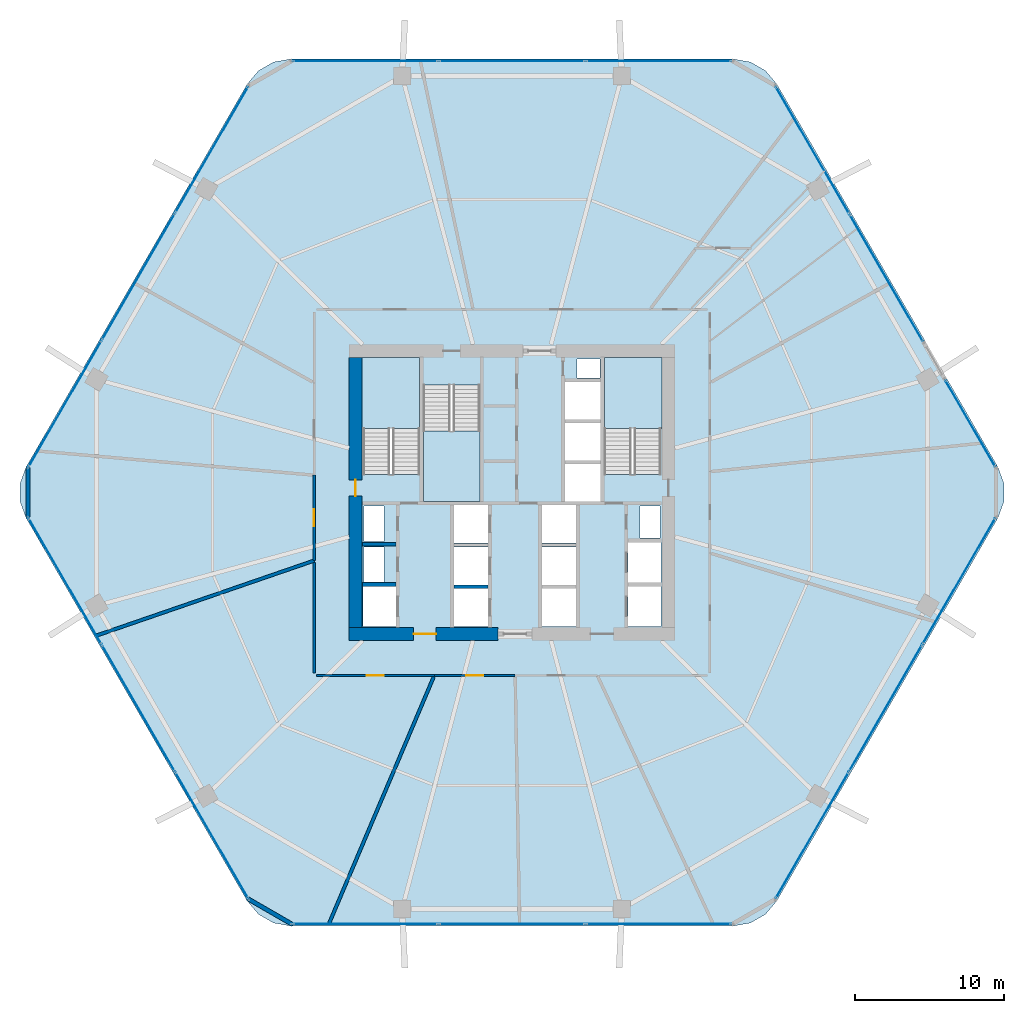
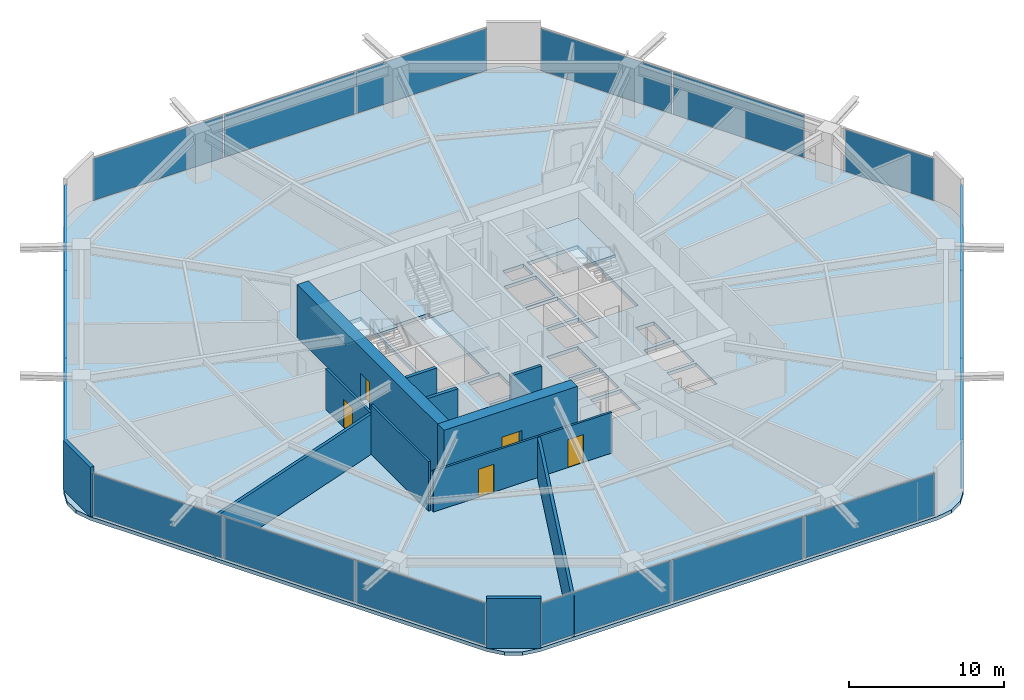
# One storey, part 21 of 25: 18 plates, 13 walls, 5 doors, 4 slabs, 5 openings, 10 elements without a shape of their own.
"""IFC4 building model written with IfcOpenShell, lengths in metres."""

from ifc_helpers import new_model, si_unit, direction, frame, frame_2d, origin, origin_2d, place, context, subcontext, project, spatial, polyline, rectangle, outline, extrude, material, layer, layer_set, type_object, element, fill, aggregate, save


model = new_model("IFC4")

# Units and contexts
model_context = context("Model", 3, precision=1e-05, world=origin(), true_north=direction((0.0, 1.0)))
body_context = subcontext(model_context, "Body", "Model", "MODEL_VIEW")
ifc_project = project(units=[si_unit("LENGTHUNIT", "METRE"), si_unit("AREAUNIT", "SQUARE_METRE"), si_unit("VOLUMEUNIT", "CUBIC_METRE"), si_unit("PLANEANGLEUNIT", "RADIAN"), si_unit("MASSUNIT", "GRAM", prefix="KILO")], contexts=[model_context])

# Site, building, storey
site_placement = place(None, origin())
site = spatial("IfcSite", under=ifc_project, at=site_placement, CompositionType="ELEMENT")
building_placement = place(site_placement, origin())
building = spatial("IfcBuilding", under=site, at=building_placement, Name="Zuhravey Tower", CompositionType="ELEMENT")
storey_placement = place(building_placement, frame((0.0, 0.0, 62.39990234375)))
storey = spatial("IfcBuildingStorey", under=building, at=storey_placement, Name="L15", CompositionType="ELEMENT", Elevation=62.39990234375)

# Curtain wall, plates
ifc_material_1 = material(Name="Thermally broken anodised aluminium", Category="aluminium")
curtain_wall_type = type_object("IfcCurtainWallType", Name="School Low-E Unitised Curtain Wall CW1", PredefinedType="NOTDEFINED", material=ifc_material_1)
curtain_wall_1_placement = place(storey_placement, origin())
curtain_wall_1 = element("IfcCurtainWall", 1, at=curtain_wall_1_placement, inside=storey, type_object=curtain_wall_type, Name="L15 CW1 CW-L15-F6-1", PredefinedType="NOTDEFINED")
ifc_material_2 = material(Name="Laminated acoustic low-E vision glass", Category="glass")
ifc_layer_1 = layer(ifc_material_2, 0.048095703125)
ifc_layer_set_1 = layer_set([ifc_layer_1], Name="Laminated acoustic low-E vision glass")
plate_type = type_object("IfcPlateType", Name="Acoustic School Vision Panel", PredefinedType="CURTAIN_PANEL", material=ifc_layer_set_1)
plate_1_placement = place(storey_placement, frame((66.000732421875, 26.045654296875, 0.090087890625), z_axis=(0.0, 0.0, 1.0), x_axis=(-0.499999794119, -0.86602552265, 0.0)))
plate_1 = element("IfcPlate", 2, at=plate_1_placement, type_object=plate_type, Name="CW1 panel 1.1", PredefinedType="CURTAIN_PANEL", context=body_context, shape_type="SweptSolid", body=[
    extrude(rectangle(XDim=9.7314453125, YDim=0.048095703125, at=origin_2d()), origin(), (0.0, 0.0, 1.0), 3.31201171875),
])
plate_2_placement = place(storey_placement, frame((61.078857421875, 17.520751953125, 0.090087890625), z_axis=(0.0, 0.0, 1.0), x_axis=(-0.499999794119, -0.86602552265, 0.0)))
plate_2 = element("IfcPlate", 3, at=plate_2_placement, type_object=plate_type, Name="CW1 panel 2.1", PredefinedType="CURTAIN_PANEL", context=body_context, shape_type="SweptSolid", body=[
    extrude(rectangle(XDim=9.7763671875, YDim=0.048095703125, at=origin_2d()), origin(), (0.0, 0.0, 1.0), 3.31201171875),
])
plate_3_placement = place(storey_placement, frame((56.15673828125, 8.995849609375, 0.090087890625), z_axis=(0.0, 0.0, 1.0), x_axis=(-0.499999794119, -0.86602552265, 0.0)))
plate_3 = element("IfcPlate", 4, at=plate_3_placement, type_object=plate_type, Name="CW1 panel 3.1", PredefinedType="CURTAIN_PANEL", context=body_context, shape_type="SweptSolid", body=[
    extrude(rectangle(XDim=9.7314453125, YDim=0.048095703125, at=origin_2d()), origin(), (0.0, 0.0, 1.0), 3.31201171875),
])
aggregate(curtain_wall_1, [plate_1, plate_2, plate_3])

curtain_wall_2_placement = place(storey_placement, origin())
curtain_wall_2 = element("IfcCurtainWall", 5, at=curtain_wall_2_placement, inside=storey, type_object=curtain_wall_type, Name="L15 CW1 CW-L15-F5-1", PredefinedType="NOTDEFINED")
plate_4_placement = place(storey_placement, frame((45.84375, 3.04150390625, 0.090087890625), z_axis=(0.0, 0.0, 1.0), x_axis=(-1.0, 0.0, 0.0)))
plate_4 = element("IfcPlate", 6, at=plate_4_placement, type_object=plate_type, Name="CW1 panel 1.1", PredefinedType="CURTAIN_PANEL", context=body_context, shape_type="SweptSolid", body=[
    extrude(rectangle(XDim=9.7314453125, YDim=0.048095703125, at=origin_2d()), origin(), (0.0, 0.0, 1.0), 3.31201171875),
])
plate_5_placement = place(storey_placement, frame((36.0, 3.04150390625, 0.090087890625), z_axis=(0.0, 0.0, 1.0), x_axis=(-1.0, 0.0, 0.0)))
plate_5 = element("IfcPlate", 7, at=plate_5_placement, type_object=plate_type, Name="CW1 panel 2.1", PredefinedType="CURTAIN_PANEL", context=body_context, shape_type="SweptSolid", body=[
    extrude(rectangle(XDim=9.7763671875, YDim=0.048095703125, at=origin_2d()), origin(), (0.0, 0.0, 1.0), 3.31201171875),
])
plate_6_placement = place(storey_placement, frame((26.15625, 3.04150390625, 0.090087890625), z_axis=(0.0, 0.0, 1.0), x_axis=(-1.0, 0.0, 0.0)))
plate_6 = element("IfcPlate", 8, at=plate_6_placement, type_object=plate_type, Name="CW1 panel 3.1", PredefinedType="CURTAIN_PANEL", context=body_context, shape_type="SweptSolid", body=[
    extrude(rectangle(XDim=9.7314453125, YDim=0.048095703125, at=origin_2d()), origin(), (0.0, 0.0, 1.0), 3.31201171875),
])
aggregate(curtain_wall_2, [plate_4, plate_5, plate_6])

curtain_wall_3_placement = place(storey_placement, origin())
curtain_wall_3 = element("IfcCurtainWall", 9, at=curtain_wall_3_placement, inside=storey, type_object=curtain_wall_type, Name="L15 CW1 CW-L15-F4-1", PredefinedType="NOTDEFINED")
plate_7_placement = place(storey_placement, frame((15.84326171875, 8.995849609375, 0.090087890625), z_axis=(0.0, 0.0, 1.0), x_axis=(-0.499999794119, 0.86602552265, 0.0)))
plate_7 = element("IfcPlate", 10, at=plate_7_placement, type_object=plate_type, Name="CW1 panel 1.1", PredefinedType="CURTAIN_PANEL", context=body_context, shape_type="SweptSolid", body=[
    extrude(rectangle(XDim=9.7314453125, YDim=0.048095703125, at=origin_2d()), origin(), (0.0, 0.0, 1.0), 3.31201171875),
])
plate_8_placement = place(storey_placement, frame((10.921142578125, 17.520751953125, 0.090087890625), z_axis=(0.0, 0.0, 1.0), x_axis=(-0.499999794119, 0.86602552265, 0.0)))
plate_8 = element("IfcPlate", 11, at=plate_8_placement, type_object=plate_type, Name="CW1 panel 2.1", PredefinedType="CURTAIN_PANEL", context=body_context, shape_type="SweptSolid", body=[
    extrude(rectangle(XDim=9.7763671875, YDim=0.048095703125, at=origin_2d()), origin(), (0.0, 0.0, 1.0), 3.31201171875),
])
plate_9_placement = place(storey_placement, frame((5.999267578125, 26.045654296875, 0.090087890625), z_axis=(0.0, 0.0, 1.0), x_axis=(-0.499999794119, 0.86602552265, 0.0)))
plate_9 = element("IfcPlate", 12, at=plate_9_placement, type_object=plate_type, Name="CW1 panel 3.1", PredefinedType="CURTAIN_PANEL", context=body_context, shape_type="SweptSolid", body=[
    extrude(rectangle(XDim=9.7314453125, YDim=0.048095703125, at=origin_2d()), origin(), (0.0, 0.0, 1.0), 3.31201171875),
])
aggregate(curtain_wall_3, [plate_7, plate_8, plate_9])

curtain_wall_4_placement = place(storey_placement, origin())
curtain_wall_4 = element("IfcCurtainWall", 13, at=curtain_wall_4_placement, inside=storey, type_object=curtain_wall_type, Name="L15 CW1 CW-L15-F3-1", PredefinedType="NOTDEFINED")
plate_10_placement = place(storey_placement, frame((5.999267578125, 37.954345703125, 0.090087890625), z_axis=(0.0, 0.0, 1.0), x_axis=(0.499999794119, 0.86602552265, 0.0)))
plate_10 = element("IfcPlate", 14, at=plate_10_placement, type_object=plate_type, Name="CW1 panel 1.1", PredefinedType="CURTAIN_PANEL", context=body_context, shape_type="SweptSolid", body=[
    extrude(rectangle(XDim=9.7314453125, YDim=0.048095703125, at=origin_2d()), origin(), (0.0, 0.0, 1.0), 3.31201171875),
])
plate_11_placement = place(storey_placement, frame((10.921142578125, 46.479248046875, 0.090087890625), z_axis=(0.0, 0.0, 1.0), x_axis=(0.499999794119, 0.86602552265, 0.0)))
plate_11 = element("IfcPlate", 15, at=plate_11_placement, type_object=plate_type, Name="CW1 panel 2.1", PredefinedType="CURTAIN_PANEL", context=body_context, shape_type="SweptSolid", body=[
    extrude(rectangle(XDim=9.7763671875, YDim=0.048095703125, at=origin_2d()), origin(), (0.0, 0.0, 1.0), 3.31201171875),
])
plate_12_placement = place(storey_placement, frame((15.84326171875, 55.004150390625, 0.090087890625), z_axis=(0.0, 0.0, 1.0), x_axis=(0.499999794119, 0.86602552265, 0.0)))
plate_12 = element("IfcPlate", 16, at=plate_12_placement, type_object=plate_type, Name="CW1 panel 3.1", PredefinedType="CURTAIN_PANEL", context=body_context, shape_type="SweptSolid", body=[
    extrude(rectangle(XDim=9.7314453125, YDim=0.048095703125, at=origin_2d()), origin(), (0.0, 0.0, 1.0), 3.31201171875),
])
aggregate(curtain_wall_4, [plate_10, plate_11, plate_12])

curtain_wall_5_placement = place(storey_placement, origin())
curtain_wall_5 = element("IfcCurtainWall", 17, at=curtain_wall_5_placement, inside=storey, type_object=curtain_wall_type, Name="L15 CW1 CW-L15-F2-1", PredefinedType="NOTDEFINED")
plate_13_placement = place(storey_placement, frame((26.15625, 60.95849609375, 0.090087890625), z_axis=(0.0, 0.0, 1.0), x_axis=(1.0, 0.0, 0.0)))
plate_13 = element("IfcPlate", 18, at=plate_13_placement, type_object=plate_type, Name="CW1 panel 1.1", PredefinedType="CURTAIN_PANEL", context=body_context, shape_type="SweptSolid", body=[
    extrude(rectangle(XDim=9.7314453125, YDim=0.048095703125, at=origin_2d()), origin(), (0.0, 0.0, 1.0), 3.31201171875),
])
plate_14_placement = place(storey_placement, frame((36.0, 60.95849609375, 0.090087890625), z_axis=(0.0, 0.0, 1.0), x_axis=(1.0, 0.0, 0.0)))
plate_14 = element("IfcPlate", 19, at=plate_14_placement, type_object=plate_type, Name="CW1 panel 2.1", PredefinedType="CURTAIN_PANEL", context=body_context, shape_type="SweptSolid", body=[
    extrude(rectangle(XDim=9.7763671875, YDim=0.048095703125, at=origin_2d()), origin(), (0.0, 0.0, 1.0), 3.31201171875),
])
plate_15_placement = place(storey_placement, frame((45.84375, 60.95849609375, 0.090087890625), z_axis=(0.0, 0.0, 1.0), x_axis=(1.0, 0.0, 0.0)))
plate_15 = element("IfcPlate", 20, at=plate_15_placement, type_object=plate_type, Name="CW1 panel 3.1", PredefinedType="CURTAIN_PANEL", context=body_context, shape_type="SweptSolid", body=[
    extrude(rectangle(XDim=9.7314453125, YDim=0.048095703125, at=origin_2d()), origin(), (0.0, 0.0, 1.0), 3.31201171875),
])
aggregate(curtain_wall_5, [plate_13, plate_14, plate_15])

curtain_wall_6_placement = place(storey_placement, origin())
curtain_wall_6 = element("IfcCurtainWall", 21, at=curtain_wall_6_placement, inside=storey, type_object=curtain_wall_type, Name="L15 CW1 CW-L15-F1-1", PredefinedType="NOTDEFINED")
plate_16_placement = place(storey_placement, frame((56.176025390625, 54.970947265625, 0.090087890625), z_axis=(0.0, 0.0, 1.0), x_axis=(0.499999006748, -0.866025977238, 0.0)))
plate_16 = element("IfcPlate", 22, at=plate_16_placement, type_object=plate_type, Name="CW1 panel 1.1", PredefinedType="CURTAIN_PANEL", context=body_context, shape_type="SweptSolid", body=[
    extrude(rectangle(XDim=9.80810546875, YDim=0.048095703125, at=origin_2d()), origin(), (0.0, 0.0, 1.0), 3.31201171875),
])
plate_17_placement = place(storey_placement, frame((61.125, 46.39892578125, 0.090087890625), z_axis=(0.0, 0.0, 1.0), x_axis=(0.499999006748, -0.866025977238, 0.0)))
plate_17 = element("IfcPlate", 23, at=plate_17_placement, type_object=plate_type, Name="CW1 panel 2.1", PredefinedType="CURTAIN_PANEL", context=body_context, shape_type="SweptSolid", body=[
    extrude(rectangle(XDim=9.80810546875, YDim=0.048095703125, at=origin_2d()), origin(), (0.0, 0.0, 1.0), 3.31201171875),
])
aggregate(curtain_wall_6, [plate_16, plate_17])

# Curtain wall, plate
curtain_wall_7_placement = place(storey_placement, origin())
curtain_wall_7 = element("IfcCurtainWall", 24, at=curtain_wall_7_placement, inside=storey, type_object=curtain_wall_type, Name="L15 CW1 CW-L15-F1-2", PredefinedType="NOTDEFINED")
plate_18_placement = place(storey_placement, frame((66.7626953125, 36.634033203125, 0.090087890625), z_axis=(0.0, 0.0, 1.0), x_axis=(0.50000373157, -0.866023249351, 0.0)))
plate_18 = element("IfcPlate", 25, at=plate_18_placement, type_object=plate_type, Name="CW1 panel 1.1", PredefinedType="CURTAIN_PANEL", context=body_context, shape_type="SweptSolid", body=[
    extrude(rectangle(XDim=6.682861328125, YDim=0.048095703125, at=origin_2d()), origin(), (0.0, 0.0, 1.0), 3.31201171875),
])
aggregate(curtain_wall_7, [plate_18])

# Slab
ifc_material_3 = material(Name="Concrete C50/60", Category="concrete")
ifc_layer_2 = layer(ifc_material_3, 0.280029296875)
ifc_layer_set_2 = layer_set([ifc_layer_2], Name="Concrete C50/60")
slab_type_1 = type_object("IfcSlabType", Name="School Composite Floor Slab 280", PredefinedType="FLOOR", material=ifc_layer_set_2)
slab_1_placement = place(storey_placement, frame((0.0, 0.0, -0.27978515625)))
element("IfcSlab", 26, at=slab_1_placement, inside=storey, type_object=slab_type_1, Name="L15 Floor Slab FS28", PredefinedType="FLOOR", context=body_context, shape_type="SweptSolid", body=[
    extrude(outline(polyline([(68.618408203125, 30.300048828125), (69.0224609375, 31.40966796875), (69.0224609375, 32.59033203125), (68.618408203125, 33.699951171875), (53.781494140625, 59.3984375), (53.0224609375, 60.302978515625), (52.0, 60.893310546875), (50.8369140625, 61.098388671875), (21.1630859375, 61.098388671875), (20.0, 60.893310546875), (18.9775390625, 60.302978515625), (18.218505859375, 59.3984375), (3.381591796875, 33.699951171875), (2.9775390625, 32.59033203125), (2.9775390625, 31.40966796875), (3.381591796875, 30.300048828125), (18.218505859375, 4.6015625), (18.9775390625, 3.697021484375), (20.0, 3.106689453125), (21.1630859375, 2.901611328125), (50.8369140625, 2.901611328125), (52.0, 3.106689453125), (53.0224609375, 3.697021484375), (53.781494140625, 4.6015625), (68.618408203125, 30.300048828125)]), holes=[polyline([(29.800048828125, 33.20068359375), (29.800048828125, 41.0), (26.0, 41.0), (26.0, 33.20068359375), (29.800048828125, 33.20068359375)]), polyline([(46.0, 33.20068359375), (46.0, 41.0), (42.199951171875, 41.0), (42.199951171875, 33.20068359375), (46.0, 33.20068359375)]), polyline([(30.050048828125, 39.199462890625), (30.050048828125, 31.39990234375), (33.85009765625, 31.39990234375), (33.85009765625, 39.199462890625), (30.050048828125, 39.199462890625)]), polyline([(32.10009765625, 23.0), (34.39990234375, 23.0), (34.39990234375, 25.550048828125), (32.10009765625, 25.550048828125), (32.10009765625, 23.0)]), polyline([(32.10009765625, 25.800048828125), (34.39990234375, 25.800048828125), (34.39990234375, 28.35009765625), (32.10009765625, 28.35009765625), (32.10009765625, 25.800048828125)]), polyline([(32.10009765625, 28.60009765625), (34.39990234375, 28.60009765625), (34.39990234375, 31.14990234375), (32.10009765625, 31.14990234375), (32.10009765625, 28.60009765625)]), polyline([(38.0, 23.0), (40.300048828125, 23.0), (40.300048828125, 25.550048828125), (38.0, 25.550048828125), (38.0, 23.0)]), polyline([(38.0, 25.800048828125), (40.300048828125, 25.800048828125), (40.300048828125, 28.35009765625), (38.0, 28.35009765625), (38.0, 25.800048828125)]), polyline([(38.0, 28.60009765625), (40.300048828125, 28.60009765625), (40.300048828125, 31.14990234375), (38.0, 31.14990234375), (38.0, 28.60009765625)]), polyline([(39.550048828125, 31.39990234375), (41.949951171875, 31.39990234375), (41.949951171875, 33.89990234375), (39.550048828125, 33.89990234375), (39.550048828125, 31.39990234375)]), polyline([(39.550048828125, 34.14990234375), (41.949951171875, 34.14990234375), (41.949951171875, 36.64990234375), (39.550048828125, 36.64990234375), (39.550048828125, 34.14990234375)]), polyline([(39.550048828125, 36.89990234375), (41.949951171875, 36.89990234375), (41.949951171875, 39.39990234375), (39.550048828125, 39.39990234375), (39.550048828125, 36.89990234375)]), polyline([(26.0, 23.0), (28.199951171875, 23.0), (28.199951171875, 25.699951171875), (26.0, 25.699951171875), (26.0, 23.0)]), polyline([(43.800048828125, 23.0), (46.0, 23.0), (46.0, 25.699951171875), (43.800048828125, 25.699951171875), (43.800048828125, 23.0)]), polyline([(43.800048828125, 25.949951171875), (46.0, 25.949951171875), (46.0, 28.64990234375), (43.800048828125, 28.64990234375), (43.800048828125, 25.949951171875)]), polyline([(26.050048828125, 26.0), (27.39990234375, 26.0), (27.39990234375, 28.35009765625), (26.050048828125, 28.35009765625), (26.050048828125, 26.0)]), polyline([(26.050048828125, 28.699951171875), (27.39990234375, 28.699951171875), (27.39990234375, 31.10009765625), (26.050048828125, 31.10009765625), (26.050048828125, 28.699951171875)]), polyline([(44.60009765625, 28.949951171875), (45.949951171875, 28.949951171875), (45.949951171875, 31.10009765625), (44.60009765625, 31.10009765625), (44.60009765625, 28.949951171875)]), polyline([(40.35009765625, 39.699951171875), (41.89990234375, 39.699951171875), (41.89990234375, 40.949951171875), (40.35009765625, 40.949951171875), (40.35009765625, 39.699951171875)])]), origin(), (0.0, 0.0, 1.0), 0.27978515625),
])

# Stair, slab
ifc_material_4 = material(Name="Concrete C40/50", Category="concrete")
stair_type = type_object("IfcStairType", Name="School Storey Stair Assembly 4200", PredefinedType="HALF_TURN_STAIR", material=ifc_material_4)
stair_1_placement = place(storey_placement, origin())
stair_1 = element("IfcStair", 27, at=stair_1_placement, inside=storey, type_object=stair_type, Name="L15 Core Exit Stair ST1", PredefinedType="HALF_TURN_STAIR")
ifc_layer_3 = layer(ifc_material_4, 0.199951171875)
ifc_layer_set_3 = layer_set([ifc_layer_3], Name="Concrete C40/50")
slab_type_2 = type_object("IfcSlabType", Name="Stair Landing Slab 200", PredefinedType="LANDING", material=ifc_layer_set_3)
slab_2_placement = place(storey_placement, frame((0.0, 0.0, 1.900146484375)))
slab_2 = element("IfcSlab", 28, at=slab_2_placement, type_object=slab_type_2, Name="ST1 landing 1", PredefinedType="LANDING", context=body_context, shape_type="SweptSolid", body=[
    extrude(outline(polyline([(29.800048828125, 36.280029296875), (29.800048828125, 41.072998046875), (25.927001953125, 41.072998046875), (25.927001953125, 36.280029296875), (29.800048828125, 36.280029296875)])), origin(), (0.0, 0.0, 1.0), 0.199951171875),
])
aggregate(stair_1, [slab_2])

stair_2_placement = place(storey_placement, origin())
stair_2 = element("IfcStair", 29, at=stair_2_placement, inside=storey, type_object=stair_type, Name="L15 Core Exit Stair ST2", PredefinedType="HALF_TURN_STAIR")
slab_3_placement = place(storey_placement, frame((0.0, 0.0, 1.900146484375)))
slab_3 = element("IfcSlab", 30, at=slab_3_placement, type_object=slab_type_2, Name="ST2 landing 1", PredefinedType="LANDING", context=body_context, shape_type="SweptSolid", body=[
    extrude(outline(polyline([(46.072998046875, 36.280029296875), (46.072998046875, 41.072998046875), (42.199951171875, 41.072998046875), (42.199951171875, 36.280029296875), (46.072998046875, 36.280029296875)])), origin(), (0.0, 0.0, 1.0), 0.199951171875),
])
aggregate(stair_2, [slab_3])

stair_3_placement = place(storey_placement, origin())
stair_3 = element("IfcStair", 31, at=stair_3_placement, inside=storey, type_object=stair_type, Name="L15 Core Exit Stair ST3", PredefinedType="HALF_TURN_STAIR")
slab_4_placement = place(storey_placement, frame((0.0, 0.0, 1.900146484375)))
slab_4 = element("IfcSlab", 32, at=slab_4_placement, type_object=slab_type_2, Name="ST3 landing 1", PredefinedType="LANDING", context=body_context, shape_type="SweptSolid", body=[
    extrude(outline(polyline([(30.050048828125, 36.1201171875), (30.050048828125, 31.39990234375), (33.85009765625, 31.39990234375), (33.85009765625, 36.1201171875), (30.050048828125, 36.1201171875)])), origin(), (0.0, 0.0, 1.0), 0.199951171875),
])
aggregate(stair_3, [slab_4])

# Wall, opening, door
ifc_material_5 = material(Name="Concrete C60/75", Category="concrete")
ifc_layer_4 = layer(ifc_material_5, 0.85009765625)
ifc_layer_set_4 = layer_set([ifc_layer_4], Name="Concrete C60/75")
wall_type_1 = type_object("IfcWallType", Name="Core Shear Wall 850", PredefinedType="SHEAR", material=ifc_layer_set_4)
wall_1_placement = place(storey_placement, frame((25.074951171875, 22.5, 0.0), z_axis=(0.0, 0.0, 1.0), x_axis=(1.0, 0.0, 0.0)))
wall_1 = element("IfcWall", 33, at=wall_1_placement, inside=storey, type_object=wall_type_1, Name="L15 South-West Core Shear Wall CW85", PredefinedType="SHEAR", context=body_context, shape_type="SweptSolid", body=[
    extrude(rectangle(XDim=9.97509765625, YDim=0.85009765625, at=frame_2d((4.987548828125, 0.0))), origin(), (0.0, 0.0, 1.0), 4.2001953125),
])
opening_1_placement = place(wall_1_placement, frame((4.324951171875, 0.0, 0.0)))
opening_1 = element("IfcOpeningElement", 34, at=opening_1_placement, cuts=wall_1, Name="Opening FFD1", PredefinedType="OPENING", context=body_context, shape_type="SweptSolid", body=[
    extrude(rectangle(XDim=1.5, YDim=2.14990234375, at=frame_2d((0.75, 1.074951171875))), frame((0.0, 0.43701171875, 0.0), z_axis=(0.0, -1.0, 0.0), x_axis=(1.0, 0.0, 0.0)), (0.0, 0.0, 1.0), 0.8740234375),
])
ifc_material_6 = material(Name="Galvanised fire-rated steel leaf", Category="steel")
door_type_1 = type_object("IfcDoorType", Name="Firefighting Lobby Double Door 1500x2150", OperationType="DOUBLE_DOOR_SINGLE_SWING", PredefinedType="DOOR", material=ifc_material_6)
door_1_placement = place(opening_1_placement, origin())
door_1 = element("IfcDoor", 35, at=door_1_placement, inside=storey, type_object=door_type_1, Name="L15 Firefighting Lobby West Door", OperationType="DOUBLE_DOOR_SINGLE_SWING", OverallHeight=2.14990234375, OverallWidth=1.5, PredefinedType="DOOR", context=body_context, shape_type="SweptSolid", body=[
    extrude(rectangle(XDim=1.5, YDim=2.14990234375, at=frame_2d((0.75, 1.074951171875))), frame((0.0, 0.02490234375, 0.0), z_axis=(0.0, -1.0, 0.0), x_axis=(1.0, 0.0, 0.0)), (0.0, 0.0, 1.0), 0.050048828125),
])
fill(opening_1, door_1)

wall_2_placement = place(storey_placement, frame((25.5, 22.925048828125, 0.0), z_axis=(0.0, 0.0, 1.0), x_axis=(0.0, 1.0, 0.0)))
wall_2 = element("IfcWall", 36, at=wall_2_placement, inside=storey, type_object=wall_type_1, Name="L15 West Core Shear Wall CW85", PredefinedType="SHEAR", context=body_context, shape_type="SweptSolid", body=[
    extrude(rectangle(XDim=18.14990234375, YDim=0.85009765625, at=frame_2d((9.074951171875, 0.0))), origin(), (0.0, 0.0, 1.0), 4.2001953125),
])
opening_2_placement = place(wall_2_placement, frame((8.824951171875, 0.0, 0.0)))
opening_2 = element("IfcOpeningElement", 37, at=opening_2_placement, cuts=wall_2, Name="Opening STD1", PredefinedType="OPENING", context=body_context, shape_type="SweptSolid", body=[
    extrude(rectangle(XDim=1.10009765625, YDim=2.14990234375, at=frame_2d((0.550048828125, 1.074951171875))), frame((0.0, 0.43701171875, 0.0), z_axis=(0.0, -1.0, 0.0), x_axis=(1.0, 0.0, 0.0)), (0.0, 0.0, 1.0), 0.8740234375),
])
door_type_2 = type_object("IfcDoorType", Name="Protected Stair Fire Door 1100x2150", OperationType="NOTDEFINED", PredefinedType="USERDEFINED", material=ifc_material_6)
door_2_placement = place(opening_2_placement, frame((1.10009765625, 0.0, 0.0), z_axis=(0.0, 0.0, 1.0), x_axis=(-1.0, 0.0, 0.0)))
door_2 = element("IfcDoor", 38, at=door_2_placement, inside=storey, type_object=door_type_2, Name="L15 Stair ST1 Door", ObjectType="EXITDOOR", OperationType="SINGLE_SWING_LEFT", OverallHeight=2.14990234375, OverallWidth=1.10009765625, PredefinedType="USERDEFINED", context=body_context, shape_type="SweptSolid", body=[
    extrude(rectangle(XDim=1.10009765625, YDim=2.14990234375, at=frame_2d((0.550048828125, 1.074951171875))), frame((0.0, 0.02490234375, 0.0), z_axis=(0.0, -1.0, 0.0), x_axis=(1.0, 0.0, 0.0)), (0.0, 0.0, 1.0), 0.050048828125),
])
fill(opening_2, door_2)

ifc_material_7 = material(Name="Gypsum fire-rated stud partition")
ifc_layer_5 = layer(ifc_material_7, 0.159912109375)
ifc_layer_set_5 = layer_set([ifc_layer_5], Name="Gypsum fire-rated stud partition")
wall_type_2 = type_object("IfcWallType", Name="Corridor Fire Partition 160", PredefinedType="PARTITIONING", material=ifc_layer_set_5)
wall_3_placement = place(storey_placement, frame((22.715087890625, 33.162353515625, 0.0), z_axis=(0.0, 0.0, 1.0), x_axis=(0.0, -1.0, 0.0)))
wall_3 = element("IfcWall", 39, at=wall_3_placement, inside=storey, type_object=wall_type_2, Name="L15 IW16 Partition 026", PredefinedType="PARTITIONING", context=body_context, shape_type="SweptSolid", body=[
    extrude(rectangle(XDim=5.73681640625, YDim=0.159912109375, at=frame_2d((2.868408203125, 0.0))), origin(), (0.0, 0.0, 1.0), 3.22021484375),
])
opening_3_placement = place(wall_3_placement, frame((2.29345703125, 0.0, 0.0)))
opening_3 = element("IfcOpeningElement", 40, at=opening_3_placement, cuts=wall_3, Name="Opening CLD1", PredefinedType="OPENING", context=body_context, shape_type="SweptSolid", body=[
    extrude(rectangle(XDim=1.14990234375, YDim=2.199951171875, at=frame_2d((0.574951171875, 1.10009765625))), frame((0.0, 0.092041015625, 0.0), z_axis=(0.0, -1.0, 0.0), x_axis=(1.0, 0.0, 0.0)), (0.0, 0.0, 1.0), 0.183837890625),
])
ifc_material_8 = material(Name="Acoustic timber leaf with vision lite", Category="wood")
door_type_3 = type_object("IfcDoorType", Name="Classroom Acoustic Door 1150x2200", OperationType="NOTDEFINED", PredefinedType="DOOR", material=ifc_material_8)
door_3_placement = place(opening_3_placement, frame((1.14990234375, 0.0, 0.0), z_axis=(0.0, 0.0, 1.0), x_axis=(-1.0, 0.0, 0.0)))
door_3 = element("IfcDoor", 41, at=door_3_placement, inside=storey, type_object=door_type_3, Name="L15 Door 026.1", OperationType="SINGLE_SWING_LEFT", OverallHeight=2.199951171875, OverallWidth=1.14990234375, PredefinedType="DOOR", context=body_context, shape_type="SweptSolid", body=[
    extrude(rectangle(XDim=1.14990234375, YDim=2.199951171875, at=frame_2d((0.574951171875, 1.10009765625))), frame((0.0, 0.02490234375, 0.0), z_axis=(0.0, -1.0, 0.0), x_axis=(1.0, 0.0, 0.0)), (0.0, 0.0, 1.0), 0.050048828125),
])
fill(opening_3, door_3)

wall_4_placement = place(storey_placement, frame((22.875, 19.715087890625, 0.0), z_axis=(0.0, 0.0, 1.0), x_axis=(1.0, 0.0, 0.0)))
wall_4 = element("IfcWall", 42, at=wall_4_placement, inside=storey, type_object=wall_type_2, Name="L15 IW16 Partition 027", PredefinedType="PARTITIONING", context=body_context, shape_type="SweptSolid", body=[
    extrude(rectangle(XDim=7.910400390625, YDim=0.159912109375, at=frame_2d((3.955078125, 0.0))), origin(), (0.0, 0.0, 1.0), 3.22021484375),
])
opening_4_placement = place(wall_4_placement, frame((3.380126953125, 0.0, 0.0)))
opening_4 = element("IfcOpeningElement", 43, at=opening_4_placement, cuts=wall_4, Name="Opening CLD1", PredefinedType="OPENING", context=body_context, shape_type="SweptSolid", body=[
    extrude(rectangle(XDim=1.14990234375, YDim=2.199951171875, at=frame_2d((0.574951171875, 1.10009765625))), frame((0.0, 0.092041015625, 0.0), z_axis=(0.0, -1.0, 0.0), x_axis=(1.0, 0.0, 0.0)), (0.0, 0.0, 1.0), 0.183837890625),
])
door_4_placement = place(opening_4_placement, frame((1.14990234375, 0.0, 0.0), z_axis=(0.0, 0.0, 1.0), x_axis=(-1.0, 0.0, 0.0)))
door_4 = element("IfcDoor", 44, at=door_4_placement, inside=storey, type_object=door_type_3, Name="L15 Door 027.1", OperationType="SINGLE_SWING_RIGHT", OverallHeight=2.199951171875, OverallWidth=1.14990234375, PredefinedType="DOOR", context=body_context, shape_type="SweptSolid", body=[
    extrude(rectangle(XDim=1.14990234375, YDim=2.199951171875, at=frame_2d((0.574951171875, 1.10009765625))), frame((0.0, 0.02490234375, 0.0), z_axis=(0.0, -1.0, 0.0), x_axis=(1.0, 0.0, 0.0)), (0.0, 0.0, 1.0), 0.050048828125),
])
fill(opening_4, door_4)

wall_5_placement = place(storey_placement, frame((30.785400390625, 19.715087890625, 0.0), z_axis=(0.0, 0.0, 1.0), x_axis=(1.0, 0.0, 0.0)))
wall_5 = element("IfcWall", 45, at=wall_5_placement, inside=storey, type_object=wall_type_2, Name="L15 IW16 Partition 028", PredefinedType="PARTITIONING", context=body_context, shape_type="SweptSolid", body=[
    extrude(rectangle(XDim=5.428955078125, YDim=0.159912109375, at=frame_2d((2.71435546875, 0.0))), origin(), (0.0, 0.0, 1.0), 3.22021484375),
])
opening_5_placement = place(wall_5_placement, frame((2.139404296875, 0.0, 0.0)))
opening_5 = element("IfcOpeningElement", 46, at=opening_5_placement, cuts=wall_5, Name="Opening CLD1", PredefinedType="OPENING", context=body_context, shape_type="SweptSolid", body=[
    extrude(rectangle(XDim=1.14990234375, YDim=2.199951171875, at=frame_2d((0.574951171875, 1.10009765625))), frame((0.0, 0.092041015625, 0.0), z_axis=(0.0, -1.0, 0.0), x_axis=(1.0, 0.0, 0.0)), (0.0, 0.0, 1.0), 0.183837890625),
])
door_5_placement = place(opening_5_placement, frame((1.14990234375, 0.0, 0.0), z_axis=(0.0, 0.0, 1.0), x_axis=(-1.0, 0.0, 0.0)))
door_5 = element("IfcDoor", 47, at=door_5_placement, inside=storey, type_object=door_type_3, Name="L15 Door 028.1", OperationType="SINGLE_SWING_LEFT", OverallHeight=2.199951171875, OverallWidth=1.14990234375, PredefinedType="DOOR", context=body_context, shape_type="SweptSolid", body=[
    extrude(rectangle(XDim=1.14990234375, YDim=2.199951171875, at=frame_2d((0.574951171875, 1.10009765625))), frame((0.0, 0.02490234375, 0.0), z_axis=(0.0, -1.0, 0.0), x_axis=(1.0, 0.0, 0.0)), (0.0, 0.0, 1.0), 0.050048828125),
])
fill(opening_5, door_5)

# Walls
wall_6_placement = place(storey_placement, frame((22.715087890625, 27.30078125, 0.0), z_axis=(0.0, 0.0, 1.0), x_axis=(0.0, -1.0, 0.0)))
element("IfcWall", 48, at=wall_6_placement, inside=storey, type_object=wall_type_2, Name="L15 IW16 Partition 055", PredefinedType="PARTITIONING", context=body_context, shape_type="SweptSolid", body=[
    extrude(rectangle(XDim=7.42578125, YDim=0.159912109375, at=frame_2d((3.712890625, 0.0))), origin(), (0.0, 0.0, 1.0), 3.920166015625),
])
ifc_material_9 = material(Name="Precast concrete C40/50", Category="concrete")
ifc_layer_6 = layer(ifc_material_9, 0.280029296875)
ifc_layer_set_6 = layer_set([ifc_layer_6], Name="Precast concrete C40/50")
wall_type_3 = type_object("IfcWallType", Name="Crown Architectural Wall 280", PredefinedType="SOLIDWALL", material=ifc_layer_set_6)
wall_7_placement = place(storey_placement, frame((21.28271484375, 2.993896484375, 0.0), z_axis=(0.0, 0.0, 1.0), x_axis=(-0.866007452331, 0.500031091541, 0.0)))
element("IfcWall", 49, at=wall_7_placement, inside=storey, type_object=wall_type_3, Name="L15 Rounded Corner Closure Wall EW28-04", PredefinedType="SOLIDWALL", context=body_context, shape_type="SweptSolid", body=[
    extrude(rectangle(XDim=3.514892578125, YDim=0.280029296875, at=frame_2d((1.75732421875, 0.0))), origin(), (0.0, 0.0, 1.0), 3.920166015625),
])
wall_8_placement = place(storey_placement, frame((3.521484375, 30.242431640625, 0.0), z_axis=(0.0, 0.0, 1.0), x_axis=(0.0, 1.0, 0.0)))
element("IfcWall", 50, at=wall_8_placement, inside=storey, type_object=wall_type_3, Name="L15 Rounded Corner Closure Wall EW28-06", PredefinedType="SOLIDWALL", context=body_context, shape_type="SweptSolid", body=[
    extrude(rectangle(XDim=3.51513671875, YDim=0.280029296875, at=frame_2d((1.757568359375, 0.0))), origin(), (0.0, 0.0, 1.0), 3.920166015625),
])
ifc_layer_7 = layer(ifc_material_3, 0.25)
ifc_layer_set_7 = layer_set([ifc_layer_7], Name="Concrete C50/60")
wall_type_4 = type_object("IfcWallType", Name="Firefighting Shaft & Stair Wall 250", PredefinedType="SOLIDWALL", material=ifc_layer_set_7)
for number, where, z_axis, x_axis, name in (
    (51, (25.949951171875, 25.824951171875, 0.0), (0.0, 0.0, 1.0), (1.0, 0.0, 0.0), "L15 FW25 Shaft Wall 009"),
    (52, (25.949951171875, 28.52490234375, 0.0), (0.0, 0.0, 1.0), (1.0, 0.0, 0.0), "L15 FW25 Shaft Wall 010"),
):
    element("IfcWall", number, at=place(storey_placement, frame(where, z_axis=z_axis, x_axis=x_axis)), inside=storey, type_object=wall_type_4, Name=name, PredefinedType="SOLIDWALL", context=body_context, shape_type="SweptSolid", body=[
        extrude(rectangle(XDim=2.25, YDim=0.25, at=frame_2d((1.125, 0.0))), origin(), (0.0, 0.0, 1.0), 4.2001953125),
    ])
ifc_material_10 = material(Name="Gypsum acoustic stud assembly")
ifc_layer_8 = layer(ifc_material_10, 0.219970703125)
ifc_layer_set_8 = layer_set([ifc_layer_8], Name="Gypsum acoustic stud assembly")
wall_type_5 = type_object("IfcWallType", Name="School Acoustic Compartment Wall 220", PredefinedType="PARTITIONING", material=ifc_layer_set_8)
wall_9_placement = place(storey_placement, frame((32.10791015625, 25.675048828125, 0.0), z_axis=(0.0, 0.0, 1.0), x_axis=(1.0, 0.0, 0.0)))
element("IfcWall", 53, at=wall_9_placement, inside=storey, type_object=wall_type_5, Name="L15 IW22 Partition 038", PredefinedType="PARTITIONING", context=body_context, shape_type="SweptSolid", body=[
    extrude(rectangle(XDim=2.2841796875, YDim=0.219970703125, at=frame_2d((1.14208984375, 0.0))), origin(), (0.0, 0.0, 1.0), 3.920166015625),
])
wall_10_placement = place(storey_placement, frame((22.715087890625, 27.425537109375, 0.0), z_axis=(0.0, 0.0, 1.0), x_axis=(-0.945519485553, -0.325565511746, 0.0)))
element("IfcWall", 54, at=wall_10_placement, inside=storey, type_object=wall_type_5, Name="L15 IW22 Partition 054", PredefinedType="PARTITIONING", context=body_context, shape_type="SweptSolid", body=[
    extrude(rectangle(XDim=15.4501953125, YDim=0.219970703125, at=frame_2d((7.72509765625, 0.0))), origin(), (0.0, 0.0, 1.0), 3.170166015625),
])
wall_11_placement = place(storey_placement, frame((30.748046875, 19.626953125, 0.0), z_axis=(0.0, 0.0, 1.0), x_axis=(-0.39073948494, -0.920501306305, 0.0)))
element("IfcWall", 55, at=wall_11_placement, inside=storey, type_object=wall_type_5, Name="L15 IW22 Partition 056", PredefinedType="PARTITIONING", context=body_context, shape_type="SweptSolid", body=[
    extrude(rectangle(XDim=18.017822265625, YDim=0.219970703125, at=frame_2d((9.0087890625, 0.0))), origin(), (0.0, 0.0, 1.0), 3.170166015625),
])

save(model, "model.ifc")
